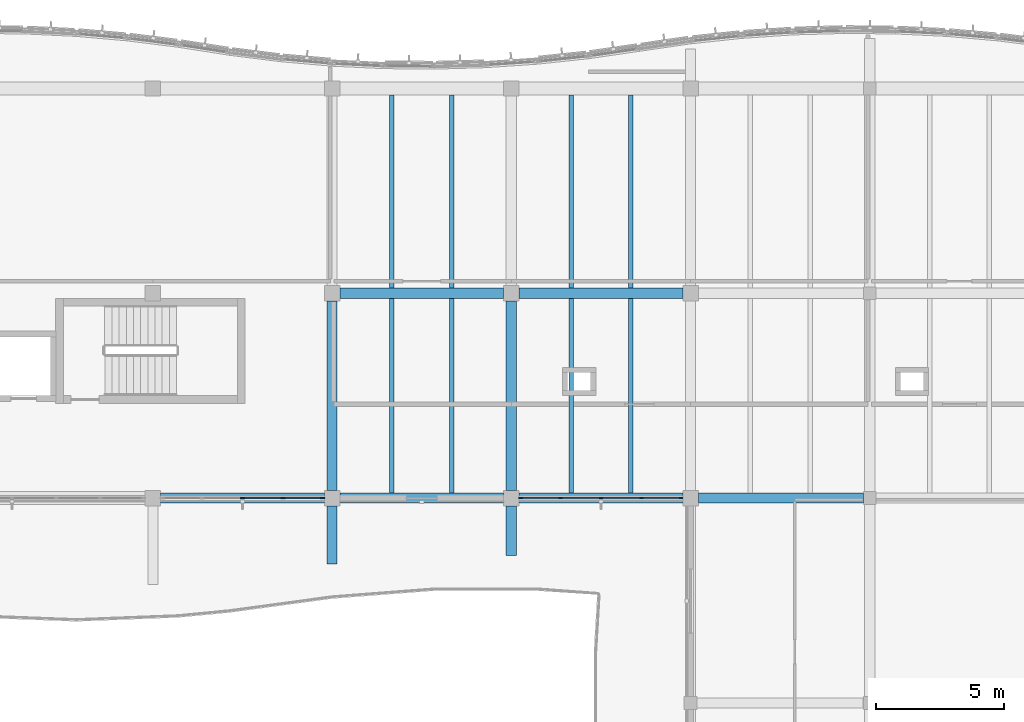
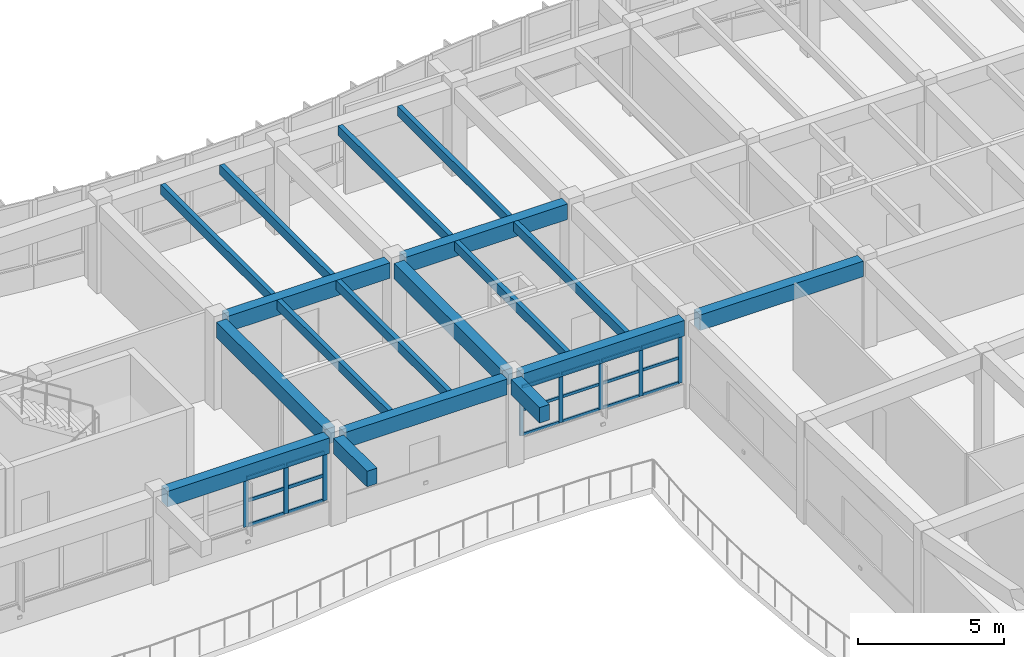
# One storey, part 37 of 89: 26 members, 18 beams, 2 elements without a shape of their own.
"""IFC4 building model written with IfcOpenShell, lengths in metres."""

import ifcopenshell
import ifcopenshell.guid

model = None  # the IFC model being written
_history = None  # IfcOwnerHistory: only IFC2X3 demands one
_inside = {}  # id of a spatial element -> (the spatial element, [elements in it])
_under = {}  # id of a project, library or spatial element -> (it, [spatial elements below it])
_declared = {}  # id of a project -> (the project, [libraries it declares])
_typed = {}  # id of a type object -> (the type object, [elements of that type])
_made_of = {}  # id of a material, layer set ... -> (it, [elements and type objects made of it])


def new_model(schema):
    """Start an empty IFC model of exactly this schema.

    Asked for "IFC4X3", IfcOpenShell would pick the latest addendum, in which some entities
    have other attributes; the version numbers below select the first issue.
    IFC2X3 requires an IfcOwnerHistory on every rooted entity: one is made here for all.
    """
    global model, _history
    if schema == "IFC4X3":
        model = ifcopenshell.file(schema_version=(4, 3, 0, 0))
    else:
        model = ifcopenshell.file(schema=schema)
    _inside.clear()
    _under.clear()
    _declared.clear()
    _typed.clear()
    _made_of.clear()
    _history = None
    if model.schema == "IFC2X3":
        org = make("IfcOrganization", Name="unknown")
        user = make(
            "IfcPersonAndOrganization",
            ThePerson=make("IfcPerson", FamilyName="unknown"),
            TheOrganization=org,
        )
        app = make(
            "IfcApplication",
            ApplicationDeveloper=org,
            Version="unknown",
            ApplicationFullName="unknown",
            ApplicationIdentifier="unknown",
        )
        _history = make(
            "IfcOwnerHistory",
            OwningUser=user,
            OwningApplication=app,
            ChangeAction="ADDED",
            CreationDate=0,
        )
    return model


def make(cls, **values):
    """One entity of the class cls with the attributes given. An attribute that is None is left unset."""
    return model.create_entity(
        cls, **{name: value for name, value in values.items() if value is not None}
    )


def rooted(cls, **values):
    """An entity with a GlobalId (a new one), such as an element, a storey or a relation."""
    return make(cls, GlobalId=ifcopenshell.guid.new(), OwnerHistory=_history, **values)


def si_unit(unit_type, name, prefix=None):
    """IfcSIUnit, for example si_unit("LENGTHUNIT", "METRE", prefix="MILLI")."""
    return make("IfcSIUnit", UnitType=unit_type, Prefix=prefix, Name=name)


def assignment(units):
    """IfcUnitAssignment: the units of a project."""
    return None if units is None else make("IfcUnitAssignment", Units=units)


def point(xyz):
    """IfcCartesianPoint."""
    return None if xyz is None else make("IfcCartesianPoint", Coordinates=xyz)


def direction(xyz):
    """IfcDirection."""
    return None if xyz is None else make("IfcDirection", DirectionRatios=xyz)


def frame(location, z_axis=None, x_axis=None):
    """IfcAxis2Placement3D, a coordinate frame: its origin and axes. An axis left out is left unset."""
    return make(
        "IfcAxis2Placement3D",
        Location=point(location),
        Axis=direction(z_axis),
        RefDirection=direction(x_axis),
    )


def frame_2d(location, x_axis=None):
    """IfcAxis2Placement2D, a coordinate frame in the plane: its origin and x axis."""
    return make(
        "IfcAxis2Placement2D", Location=point(location), RefDirection=direction(x_axis)
    )


def origin():
    """The frame at (0, 0, 0) with its axes left unset."""
    return frame((0.0, 0.0, 0.0))


def origin_2d():
    """The frame at (0, 0) in the plane with its x axis left unset."""
    return frame_2d((0.0, 0.0))


def place(relative_to, where):
    """IfcLocalPlacement: puts the frame where relative to a parent placement (None: the world)."""
    return make(
        "IfcLocalPlacement", PlacementRelTo=relative_to, RelativePlacement=where
    )


def context(
    kind, dimensions, precision=None, world=None, true_north=None, identifier=None
):
    """IfcGeometricRepresentationContext, for example the 3D "Model" context."""
    return make(
        "IfcGeometricRepresentationContext",
        ContextIdentifier=identifier,
        ContextType=kind,
        CoordinateSpaceDimension=dimensions,
        Precision=precision,
        WorldCoordinateSystem=world,
        TrueNorth=true_north,
    )


def subcontext(parent, identifier, kind, view, scale=None):
    """IfcGeometricRepresentationSubContext, for example "Body" below "Model"."""
    return make(
        "IfcGeometricRepresentationSubContext",
        ContextIdentifier=identifier,
        ContextType=kind,
        ParentContext=parent,
        TargetScale=scale,
        TargetView=view,
    )


def project(units=None, contexts=None):
    """IfcProject with its units and contexts."""
    return rooted(
        "IfcProject",
        Name="project",
        RepresentationContexts=contexts,
        UnitsInContext=assignment(units),
    )


def spatial(cls, under=None, at=None, **own):
    """A site, building, storey or space (cls), placed at a placement, below another one or the project."""
    s = rooted(cls, ObjectPlacement=at, **own)
    if under is not None:
        _under.setdefault(under.id(), (under, []))[1].append(s)
    return s


def profile(cls, at=None, kind="AREA", **sizes):
    """A parametric profile (cls). Its sizes go by their IFC names, for example OverallWidth=200.0."""
    return make(cls, ProfileType=kind, Position=at, **sizes)


def rectangle(**sizes):
    """IfcRectangleProfileDef."""
    return profile("IfcRectangleProfileDef", **sizes)


def extrude(swept, where, along, depth):
    """IfcExtrudedAreaSolid: the profile swept, set in the frame where, extruded along a direction by depth."""
    return make(
        "IfcExtrudedAreaSolid",
        SweptArea=swept,
        Position=where,
        ExtrudedDirection=direction(along),
        Depth=depth,
    )


def shape(context_of_items, identifier, shape_type, items):
    """IfcShapeRepresentation: the items that make up one representation, for example the "Body"."""
    return make(
        "IfcShapeRepresentation",
        ContextOfItems=context_of_items,
        RepresentationIdentifier=identifier,
        RepresentationType=shape_type,
        Items=items,
    )


def material(Name=None, Category=None):
    """IfcMaterial."""
    return make("IfcMaterial", Name=Name, Category=Category)


def layer(
    of_material, thickness, ventilated=None, Name=None, Category=None, Priority=None
):
    """IfcMaterialLayer: one layer of a wall or slab, of a material (None: an air gap)."""
    return make(
        "IfcMaterialLayer",
        Material=of_material,
        LayerThickness=thickness,
        IsVentilated=ventilated,
        Name=Name,
        Category=Category,
        Priority=Priority,
    )


def layer_set(layers, Name=None):
    """IfcMaterialLayerSet."""
    return make("IfcMaterialLayerSet", MaterialLayers=layers, LayerSetName=Name)


def material_profile(
    of_material, cross_section, Name=None, Category=None, Priority=None
):
    """IfcMaterialProfile: a cross section and its material."""
    return make(
        "IfcMaterialProfile",
        Name=Name,
        Material=of_material,
        Profile=cross_section,
        Priority=Priority,
        Category=Category,
    )


def profile_set(profiles, Name=None, composite=None):
    """IfcMaterialProfileSet."""
    return make(
        "IfcMaterialProfileSet",
        Name=Name,
        MaterialProfiles=profiles,
        CompositeProfile=composite,
    )


def made_of(thing, what):
    """Note that an element or type object is made of a material, layer set ...; save() writes the relation."""
    if what is not None:
        _made_of.setdefault(what.id(), (what, []))[1].append(thing)
    return thing


def type_object(cls, material=None, **own):
    """A type object (cls), such as IfcWallType, which elements share."""
    return made_of(rooted(cls, **own), material)


def element(
    cls,
    number,
    at=None,
    inside=None,
    cuts=None,
    type_object=None,
    material=None,
    context=None,
    identifier="Body",
    shape_type=None,
    held_by="IfcProductDefinitionShape",
    body=None,
    shapes=None,
    **own,
):
    """One element of the class cls, such as IfcWall. Its Tag is "e" and its number.

    at: its placement. inside: the storey or other place that contains it. cuts: it is an
    opening in that element (IfcRelVoidsElement). A single representation is given by context,
    identifier, shape_type and body (its items); several are given by shapes. held_by: the class
    of the entity that holds the representations. save() writes the other relations.
    """
    e = rooted(cls, Tag="e%d" % number, ObjectPlacement=at, **own)
    if body is not None:
        shapes = [shape(context, identifier, shape_type, body)]
    if shapes is not None:
        e.Representation = make(held_by, Representations=shapes)
    if inside is not None:
        _inside.setdefault(inside.id(), (inside, []))[1].append(e)
    if cuts is not None:
        rooted(
            "IfcRelVoidsElement", RelatingBuildingElement=cuts, RelatedOpeningElement=e
        )
    if type_object is not None:
        _typed.setdefault(type_object.id(), (type_object, []))[1].append(e)
    return made_of(e, material)


def aggregate(whole, parts):
    """IfcRelAggregates: a whole, such as a stair, and the parts it consists of."""
    return rooted("IfcRelAggregates", RelatingObject=whole, RelatedObjects=parts)


def save(model, path):
    """Write the relations noted so far, then the file.

    IfcRelAggregates (storeys below a building ...), IfcRelContainedInSpatialStructure (elements
    in a storey), IfcRelDefinesByType, IfcRelAssociatesMaterial and IfcRelDeclares: one each for
    every whole, place, type object, material and project.
    """
    for whole, parts in _under.values():
        aggregate(whole, parts)
    for where, things in _inside.values():
        rooted(
            "IfcRelContainedInSpatialStructure",
            RelatedElements=things,
            RelatingStructure=where,
        )
    for kind, things in _typed.values():
        rooted("IfcRelDefinesByType", RelatedObjects=things, RelatingType=kind)
    for what, things in _made_of.values():
        rooted("IfcRelAssociatesMaterial", RelatedObjects=things, RelatingMaterial=what)
    for by, libraries in _declared.values():
        rooted("IfcRelDeclares", RelatingContext=by, RelatedDefinitions=libraries)
    model.write(path)


model = new_model("IFC4")

# Units and contexts
model_context = context("Model", 3, precision=1e-05, world=origin(), true_north=direction((0.0, 1.0)))
body_context = subcontext(model_context, "Body", "Model", "MODEL_VIEW")
ifc_project = project(units=[si_unit("LENGTHUNIT", "METRE"), si_unit("AREAUNIT", "SQUARE_METRE"), si_unit("VOLUMEUNIT", "CUBIC_METRE"), si_unit("PLANEANGLEUNIT", "RADIAN"), si_unit("MASSUNIT", "GRAM", prefix="KILO")], contexts=[model_context])

# Site, building, storey
site_placement = place(None, origin())
site = spatial("IfcSite", under=ifc_project, at=site_placement, CompositionType="ELEMENT")
building_placement = place(site_placement, origin())
building = spatial("IfcBuilding", under=site, at=building_placement, Name="Tonlespit Floodbar School", CompositionType="ELEMENT")
storey_placement = place(building_placement, frame((0.0, 0.0, 4.5)))
storey = spatial("IfcBuildingStorey", under=building, at=storey_placement, Name="L01", CompositionType="ELEMENT", Elevation=4.5)

# Beams
ifc_material_1 = material(Name="Concrete C40/50", Category="concrete")
ifc_material_profile_1 = material_profile(ifc_material_1, rectangle(XDim=0.39990234375, YDim=0.64990234375, at=origin_2d()), Name="RC 400x650")
ifc_profile_set_1 = profile_set([ifc_material_profile_1], Name="Concrete C40/50")
beam_type_1 = type_object("IfcBeamType", Name="Beam_RC_400x650", PredefinedType="BEAM", material=ifc_profile_set_1)
for number, where, z_axis, x_axis, name in (
    (1, (127.300048828125, 104.0, 3.320068359375), (1.0, 0.0, 0.0), (0.0, 1.0, 0.0), "L01 girder 0638"),
    (2, (134.300048828125, 104.0, 3.320068359375), (1.0, 0.0, 0.0), (0.0, 1.0, 0.0), "L01 girder 0639"),
    (3, (141.300048828125, 104.0, 3.320068359375), (1.0, 0.0, 0.0), (0.0, 1.0, 0.0), "L01 girder 0640"),
):
    element("IfcBeam", number, at=place(storey_placement, frame(where, z_axis=z_axis, x_axis=x_axis)), inside=storey, type_object=beam_type_1, Name=name, PredefinedType="BEAM", context=body_context, shape_type="SweptSolid", body=[
        extrude(rectangle(XDim=0.39990234375, YDim=0.64990234375, at=origin_2d()), origin(), (0.0, 0.0, 1.0), 6.39990234375),
    ])
beam_1_placement = place(storey_placement, frame((148.300048828125, 104.0, 3.320068359375), z_axis=(1.0, 0.0, 0.0), x_axis=(0.0, 1.0, 0.0)))
element("IfcBeam", 4, at=beam_1_placement, inside=storey, type_object=beam_type_1, Name="L01 girder 0641", PredefinedType="BEAM", context=body_context, shape_type="SweptSolid", body=[
    extrude(rectangle(XDim=0.39990234375, YDim=0.64990234375, at=origin_2d()), origin(), (0.0, 0.0, 1.0), 6.449951171875),
])
for number, where, z_axis, x_axis, name in (
    (5, (134.300048828125, 112.0, 3.320068359375), (1.0, 0.0, 0.0), (0.0, 1.0, 0.0), "L01 girder 0649"),
    (6, (141.300048828125, 112.0, 3.320068359375), (1.0, 0.0, 0.0), (0.0, 1.0, 0.0), "L01 girder 0650"),
):
    element("IfcBeam", number, at=place(storey_placement, frame(where, z_axis=z_axis, x_axis=x_axis)), inside=storey, type_object=beam_type_1, Name=name, PredefinedType="BEAM", context=body_context, shape_type="SweptSolid", body=[
        extrude(rectangle(XDim=0.39990234375, YDim=0.64990234375, at=origin_2d()), origin(), (0.0, 0.0, 1.0), 6.39990234375),
    ])
for number, where, z_axis, x_axis, name in (
    (7, (134.0, 104.300048828125, 3.320068359375), (0.0, 1.0, 0.0), (-1.0, 0.0, 0.0), "L01 girder 0748"),
    (8, (141.0, 104.300048828125, 3.320068359375), (0.0, 1.0, 0.0), (-1.0, 0.0, 0.0), "L01 girder 0752"),
):
    element("IfcBeam", number, at=place(storey_placement, frame(where, z_axis=z_axis, x_axis=x_axis)), inside=storey, type_object=beam_type_1, Name=name, PredefinedType="BEAM", context=body_context, shape_type="SweptSolid", body=[
        extrude(rectangle(XDim=0.39990234375, YDim=0.64990234375, at=origin_2d()), origin(), (0.0, 0.0, 1.0), 7.39990234375),
    ])
beam_2_placement = place(storey_placement, frame((134.0, 103.699951171875, 3.3310546875), z_axis=(0.0, -1.0, 0.0), x_axis=(1.0, 0.0, 0.0)))
element("IfcBeam", 9, at=beam_2_placement, inside=storey, type_object=beam_type_1, Name="L01 V4 south court gallery rib", PredefinedType="BEAM", context=body_context, shape_type="SweptSolid", body=[
    extrude(rectangle(XDim=0.39990234375, YDim=0.64990234375, at=origin_2d()), origin(), (0.0, 0.0, 1.0), 2.278076171875),
])
beam_3_placement = place(storey_placement, frame((141.0, 103.699951171875, 3.3310546875), z_axis=(0.0, -1.0, 0.0), x_axis=(1.0, 0.0, 0.0)))
element("IfcBeam", 10, at=beam_3_placement, inside=storey, type_object=beam_type_1, Name="L01 V4 south court gallery rib", PredefinedType="BEAM", context=body_context, shape_type="SweptSolid", body=[
    extrude(rectangle(XDim=0.39990234375, YDim=0.64990234375, at=origin_2d()), origin(), (0.0, 0.0, 1.0), 1.9404296875),
])

# Curtain wall, members
ifc_material_2 = material(Name="Anodised Aluminium", Category="aluminium")
ifc_layer = layer(ifc_material_2, 0.159912109375)
ifc_layer_set = layer_set([ifc_layer], Name="Anodised Aluminium")
curtain_wall_type = type_object("IfcCurtainWallType", Name="CurtainWall_6300x2050", PredefinedType="NOTDEFINED", material=ifc_layer_set)
curtain_wall_1_placement = place(storey_placement, origin())
curtain_wall_1 = element("IfcCurtainWall", 11, at=curtain_wall_1_placement, inside=storey, type_object=curtain_wall_type, Name="L01 unitised curtain wall 0408", PredefinedType="NOTDEFINED")
ifc_material_profile_2 = material_profile(ifc_material_2, rectangle(XDim=0.06494140625, YDim=0.14990234375, at=origin_2d()), Name="ALU M65x150")
ifc_profile_set_2 = profile_set([ifc_material_profile_2], Name="Anodised Aluminium")
member_type_1 = type_object("IfcMemberType", Name="CW_Mullion_65x150", PredefinedType="MULLION", material=ifc_profile_set_2)
member_1_placement = place(storey_placement, frame((147.62744140625, 104.0, 0.949951171875), z_axis=(0.0, 0.0, 1.0), x_axis=(0.0, -1.0, 0.0)))
member_1 = element("IfcMember", 12, at=member_1_placement, type_object=member_type_1, Name="CW-61 mullion 1", PredefinedType="MULLION", context=body_context, shape_type="SweptSolid", body=[
    extrude(rectangle(XDim=0.06494140625, YDim=0.14990234375, at=origin_2d()), origin(), (0.0, 0.0, 1.0), 2.045166015625),
])
member_2_placement = place(storey_placement, frame((146.080078125, 104.0, 0.949951171875), z_axis=(0.0, 0.0, 1.0), x_axis=(0.0, -1.0, 0.0)))
member_2 = element("IfcMember", 13, at=member_2_placement, type_object=member_type_1, Name="CW-61 mullion 2", PredefinedType="MULLION", context=body_context, shape_type="SweptSolid", body=[
    extrude(rectangle(XDim=0.06494140625, YDim=0.14990234375, at=origin_2d()), origin(), (0.0, 0.0, 1.0), 2.045166015625),
])
member_3_placement = place(storey_placement, frame((144.5, 104.0, 0.949951171875), z_axis=(0.0, 0.0, 1.0), x_axis=(0.0, -1.0, 0.0)))
member_3 = element("IfcMember", 14, at=member_3_placement, type_object=member_type_1, Name="CW-61 mullion 3", PredefinedType="MULLION", context=body_context, shape_type="SweptSolid", body=[
    extrude(rectangle(XDim=0.06494140625, YDim=0.14990234375, at=origin_2d()), origin(), (0.0, 0.0, 1.0), 2.045166015625),
])
member_4_placement = place(storey_placement, frame((142.919921875, 104.0, 0.949951171875), z_axis=(0.0, 0.0, 1.0), x_axis=(0.0, -1.0, 0.0)))
member_4 = element("IfcMember", 15, at=member_4_placement, type_object=member_type_1, Name="CW-61 mullion 4", PredefinedType="MULLION", context=body_context, shape_type="SweptSolid", body=[
    extrude(rectangle(XDim=0.06494140625, YDim=0.14990234375, at=origin_2d()), origin(), (0.0, 0.0, 1.0), 2.045166015625),
])
member_5_placement = place(storey_placement, frame((141.37255859375, 104.0, 0.949951171875), z_axis=(0.0, 0.0, 1.0), x_axis=(0.0, -1.0, 0.0)))
member_5 = element("IfcMember", 16, at=member_5_placement, type_object=member_type_1, Name="CW-61 mullion 5", PredefinedType="MULLION", context=body_context, shape_type="SweptSolid", body=[
    extrude(rectangle(XDim=0.06494140625, YDim=0.14990234375, at=origin_2d()), origin(), (0.0, 0.0, 1.0), 2.045166015625),
])

curtain_wall_2_placement = place(storey_placement, origin())
curtain_wall_2 = element("IfcCurtainWall", 17, at=curtain_wall_2_placement, inside=storey, type_object=curtain_wall_type, Name="L01 unitised curtain wall 0409", PredefinedType="NOTDEFINED")
ifc_material_profile_3 = material_profile(ifc_material_2, rectangle(XDim=0.06494140625, YDim=0.179931640625, at=origin_2d()), Name="ALU M65x180")
ifc_profile_set_3 = profile_set([ifc_material_profile_3], Name="Anodised Aluminium")
member_type_2 = type_object("IfcMemberType", Name="CW_Mullion_65x180", PredefinedType="MULLION", material=ifc_profile_set_3)
member_6_placement = place(storey_placement, frame((133.62744140625, 104.0, 0.949951171875), z_axis=(0.0, 0.0, 1.0), x_axis=(0.0, -1.0, 0.0)))
member_6 = element("IfcMember", 18, at=member_6_placement, type_object=member_type_2, Name="CW-61 mullion 1", PredefinedType="MULLION", context=body_context, shape_type="SweptSolid", body=[
    extrude(rectangle(XDim=0.06494140625, YDim=0.179931640625, at=origin_2d()), origin(), (0.0, 0.0, 1.0), 2.045166015625),
])
member_7_placement = place(storey_placement, frame((132.080078125, 104.0, 0.949951171875), z_axis=(0.0, 0.0, 1.0), x_axis=(0.0, -1.0, 0.0)))
member_7 = element("IfcMember", 19, at=member_7_placement, type_object=member_type_2, Name="CW-61 mullion 2", PredefinedType="MULLION", context=body_context, shape_type="SweptSolid", body=[
    extrude(rectangle(XDim=0.06494140625, YDim=0.179931640625, at=origin_2d()), origin(), (0.0, 0.0, 1.0), 2.045166015625),
])
member_8_placement = place(storey_placement, frame((130.5, 104.0, 0.949951171875), z_axis=(0.0, 0.0, 1.0), x_axis=(0.0, -1.0, 0.0)))
member_8 = element("IfcMember", 20, at=member_8_placement, type_object=member_type_2, Name="CW-61 mullion 3", PredefinedType="MULLION", context=body_context, shape_type="SweptSolid", body=[
    extrude(rectangle(XDim=0.06494140625, YDim=0.179931640625, at=origin_2d()), origin(), (0.0, 0.0, 1.0), 2.045166015625),
])

# Member
ifc_material_profile_4 = material_profile(ifc_material_2, rectangle(XDim=0.06494140625, YDim=0.1201171875, at=origin_2d()), Name="ALU T65x120")
ifc_profile_set_4 = profile_set([ifc_material_profile_4], Name="Anodised Aluminium")
member_type_3 = type_object("IfcMemberType", Name="CW_Transom_65x120", PredefinedType="USERDEFINED", material=ifc_profile_set_4)
member_9_placement = place(storey_placement, frame((147.594970703125, 104.0, 0.982421875), z_axis=(-1.0, 0.0, 0.0), x_axis=(0.0, -1.0, 0.0)))
member_9 = element("IfcMember", 21, at=member_9_placement, type_object=member_type_3, Name="CW-61 transom 1.1", ObjectType="TRANSOM", PredefinedType="USERDEFINED", context=body_context, shape_type="SweptSolid", body=[
    extrude(rectangle(XDim=0.06494140625, YDim=0.1201171875, at=origin_2d()), origin(), (0.0, 0.0, 1.0), 1.482421875),
])

member_10_placement = place(storey_placement, frame((147.594970703125, 104.0, 2.013427734375), z_axis=(-1.0, 0.0, 0.0), x_axis=(0.0, -1.0, 0.0)))
member_10 = element("IfcMember", 22, at=member_10_placement, type_object=member_type_3, Name="CW-61 transom 1.2", ObjectType="TRANSOM", PredefinedType="USERDEFINED", context=body_context, shape_type="SweptSolid", body=[
    extrude(rectangle(XDim=0.06494140625, YDim=0.1201171875, at=origin_2d()), origin(), (0.0, 0.0, 1.0), 1.482421875),
])

member_11_placement = place(storey_placement, frame((147.594970703125, 104.0, 2.96240234375), z_axis=(-1.0, 0.0, 0.0), x_axis=(0.0, -1.0, 0.0)))
member_11 = element("IfcMember", 23, at=member_11_placement, type_object=member_type_3, Name="CW-61 transom 1.3", ObjectType="TRANSOM", PredefinedType="USERDEFINED", context=body_context, shape_type="SweptSolid", body=[
    extrude(rectangle(XDim=0.06494140625, YDim=0.1201171875, at=origin_2d()), origin(), (0.0, 0.0, 1.0), 1.482421875),
])

member_12_placement = place(storey_placement, frame((146.047607421875, 104.0, 0.982421875), z_axis=(-1.0, 0.0, 0.0), x_axis=(0.0, -1.0, 0.0)))
member_12 = element("IfcMember", 24, at=member_12_placement, type_object=member_type_3, Name="CW-61 transom 2.1", ObjectType="TRANSOM", PredefinedType="USERDEFINED", context=body_context, shape_type="SweptSolid", body=[
    extrude(rectangle(XDim=0.06494140625, YDim=0.1201171875, at=origin_2d()), origin(), (0.0, 0.0, 1.0), 1.51513671875),
])

member_13_placement = place(storey_placement, frame((146.047607421875, 104.0, 2.013427734375), z_axis=(-1.0, 0.0, 0.0), x_axis=(0.0, -1.0, 0.0)))
member_13 = element("IfcMember", 25, at=member_13_placement, type_object=member_type_3, Name="CW-61 transom 2.2", ObjectType="TRANSOM", PredefinedType="USERDEFINED", context=body_context, shape_type="SweptSolid", body=[
    extrude(rectangle(XDim=0.06494140625, YDim=0.1201171875, at=origin_2d()), origin(), (0.0, 0.0, 1.0), 1.51513671875),
])

member_14_placement = place(storey_placement, frame((146.047607421875, 104.0, 2.96240234375), z_axis=(-1.0, 0.0, 0.0), x_axis=(0.0, -1.0, 0.0)))
member_14 = element("IfcMember", 26, at=member_14_placement, type_object=member_type_3, Name="CW-61 transom 2.3", ObjectType="TRANSOM", PredefinedType="USERDEFINED", context=body_context, shape_type="SweptSolid", body=[
    extrude(rectangle(XDim=0.06494140625, YDim=0.1201171875, at=origin_2d()), origin(), (0.0, 0.0, 1.0), 1.51513671875),
])

member_15_placement = place(storey_placement, frame((144.467529296875, 104.0, 0.982421875), z_axis=(-1.0, 0.0, 0.0), x_axis=(0.0, -1.0, 0.0)))
member_15 = element("IfcMember", 27, at=member_15_placement, type_object=member_type_3, Name="CW-61 transom 3.1", ObjectType="TRANSOM", PredefinedType="USERDEFINED", context=body_context, shape_type="SweptSolid", body=[
    extrude(rectangle(XDim=0.06494140625, YDim=0.1201171875, at=origin_2d()), origin(), (0.0, 0.0, 1.0), 1.51513671875),
])

member_16_placement = place(storey_placement, frame((144.467529296875, 104.0, 2.013427734375), z_axis=(-1.0, 0.0, 0.0), x_axis=(0.0, -1.0, 0.0)))
member_16 = element("IfcMember", 28, at=member_16_placement, type_object=member_type_3, Name="CW-61 transom 3.2", ObjectType="TRANSOM", PredefinedType="USERDEFINED", context=body_context, shape_type="SweptSolid", body=[
    extrude(rectangle(XDim=0.06494140625, YDim=0.1201171875, at=origin_2d()), origin(), (0.0, 0.0, 1.0), 1.51513671875),
])

member_17_placement = place(storey_placement, frame((144.467529296875, 104.0, 2.96240234375), z_axis=(-1.0, 0.0, 0.0), x_axis=(0.0, -1.0, 0.0)))
member_17 = element("IfcMember", 29, at=member_17_placement, type_object=member_type_3, Name="CW-61 transom 3.3", ObjectType="TRANSOM", PredefinedType="USERDEFINED", context=body_context, shape_type="SweptSolid", body=[
    extrude(rectangle(XDim=0.06494140625, YDim=0.1201171875, at=origin_2d()), origin(), (0.0, 0.0, 1.0), 1.51513671875),
])

member_18_placement = place(storey_placement, frame((142.887451171875, 104.0, 0.982421875), z_axis=(-1.0, 0.0, 0.0), x_axis=(0.0, -1.0, 0.0)))
member_18 = element("IfcMember", 30, at=member_18_placement, type_object=member_type_3, Name="CW-61 transom 4.1", ObjectType="TRANSOM", PredefinedType="USERDEFINED", context=body_context, shape_type="SweptSolid", body=[
    extrude(rectangle(XDim=0.06494140625, YDim=0.1201171875, at=origin_2d()), origin(), (0.0, 0.0, 1.0), 1.482421875),
])

member_19_placement = place(storey_placement, frame((142.887451171875, 104.0, 2.013427734375), z_axis=(-1.0, 0.0, 0.0), x_axis=(0.0, -1.0, 0.0)))
member_19 = element("IfcMember", 31, at=member_19_placement, type_object=member_type_3, Name="CW-61 transom 4.2", ObjectType="TRANSOM", PredefinedType="USERDEFINED", context=body_context, shape_type="SweptSolid", body=[
    extrude(rectangle(XDim=0.06494140625, YDim=0.1201171875, at=origin_2d()), origin(), (0.0, 0.0, 1.0), 1.482421875),
])

member_20_placement = place(storey_placement, frame((142.887451171875, 104.0, 2.96240234375), z_axis=(-1.0, 0.0, 0.0), x_axis=(0.0, -1.0, 0.0)))
member_20 = element("IfcMember", 32, at=member_20_placement, type_object=member_type_3, Name="CW-61 transom 4.3", ObjectType="TRANSOM", PredefinedType="USERDEFINED", context=body_context, shape_type="SweptSolid", body=[
    extrude(rectangle(XDim=0.06494140625, YDim=0.1201171875, at=origin_2d()), origin(), (0.0, 0.0, 1.0), 1.482421875),
])

aggregate(curtain_wall_1, [member_1, member_2, member_3, member_4, member_5, member_9, member_10, member_11, member_12, member_13, member_14, member_15, member_16, member_17, member_18, member_19, member_20])

ifc_material_profile_5 = material_profile(ifc_material_2, rectangle(XDim=0.06494140625, YDim=0.139892578125, at=origin_2d()), Name="ALU T65x140")
ifc_profile_set_5 = profile_set([ifc_material_profile_5], Name="Anodised Aluminium")
member_type_4 = type_object("IfcMemberType", Name="CW_Transom_65x140", PredefinedType="USERDEFINED", material=ifc_profile_set_5)
member_21_placement = place(storey_placement, frame((133.594970703125, 104.0, 0.982421875), z_axis=(-1.0, 0.0, 0.0), x_axis=(0.0, -1.0, 0.0)))
member_21 = element("IfcMember", 33, at=member_21_placement, type_object=member_type_4, Name="CW-61 transom 1.1", ObjectType="TRANSOM", PredefinedType="USERDEFINED", context=body_context, shape_type="SweptSolid", body=[
    extrude(rectangle(XDim=0.06494140625, YDim=0.139892578125, at=origin_2d()), origin(), (0.0, 0.0, 1.0), 1.482421875),
])

member_22_placement = place(storey_placement, frame((133.594970703125, 104.0, 2.013427734375), z_axis=(-1.0, 0.0, 0.0), x_axis=(0.0, -1.0, 0.0)))
member_22 = element("IfcMember", 34, at=member_22_placement, type_object=member_type_4, Name="CW-61 transom 1.2", ObjectType="TRANSOM", PredefinedType="USERDEFINED", context=body_context, shape_type="SweptSolid", body=[
    extrude(rectangle(XDim=0.06494140625, YDim=0.139892578125, at=origin_2d()), origin(), (0.0, 0.0, 1.0), 1.482421875),
])

member_23_placement = place(storey_placement, frame((133.594970703125, 104.0, 2.96240234375), z_axis=(-1.0, 0.0, 0.0), x_axis=(0.0, -1.0, 0.0)))
member_23 = element("IfcMember", 35, at=member_23_placement, type_object=member_type_4, Name="CW-61 transom 1.3", ObjectType="TRANSOM", PredefinedType="USERDEFINED", context=body_context, shape_type="SweptSolid", body=[
    extrude(rectangle(XDim=0.06494140625, YDim=0.139892578125, at=origin_2d()), origin(), (0.0, 0.0, 1.0), 1.482421875),
])

member_24_placement = place(storey_placement, frame((132.047607421875, 104.0, 0.982421875), z_axis=(-1.0, 0.0, 0.0), x_axis=(0.0, -1.0, 0.0)))
member_24 = element("IfcMember", 36, at=member_24_placement, type_object=member_type_4, Name="CW-61 transom 2.1", ObjectType="TRANSOM", PredefinedType="USERDEFINED", context=body_context, shape_type="SweptSolid", body=[
    extrude(rectangle(XDim=0.06494140625, YDim=0.139892578125, at=origin_2d()), origin(), (0.0, 0.0, 1.0), 1.51513671875),
])

member_25_placement = place(storey_placement, frame((132.047607421875, 104.0, 2.013427734375), z_axis=(-1.0, 0.0, 0.0), x_axis=(0.0, -1.0, 0.0)))
member_25 = element("IfcMember", 37, at=member_25_placement, type_object=member_type_4, Name="CW-61 transom 2.2", ObjectType="TRANSOM", PredefinedType="USERDEFINED", context=body_context, shape_type="SweptSolid", body=[
    extrude(rectangle(XDim=0.06494140625, YDim=0.139892578125, at=origin_2d()), origin(), (0.0, 0.0, 1.0), 1.51513671875),
])

member_26_placement = place(storey_placement, frame((132.047607421875, 104.0, 2.96240234375), z_axis=(-1.0, 0.0, 0.0), x_axis=(0.0, -1.0, 0.0)))
member_26 = element("IfcMember", 38, at=member_26_placement, type_object=member_type_4, Name="CW-61 transom 2.3", ObjectType="TRANSOM", PredefinedType="USERDEFINED", context=body_context, shape_type="SweptSolid", body=[
    extrude(rectangle(XDim=0.06494140625, YDim=0.139892578125, at=origin_2d()), origin(), (0.0, 0.0, 1.0), 1.51513671875),
])

aggregate(curtain_wall_2, [member_6, member_7, member_8, member_21, member_22, member_23, member_24, member_25, member_26])

# Beams
ifc_material_3 = material(Name="Glulam GL28h", Category="wood")
ifc_material_profile_6 = material_profile(ifc_material_3, rectangle(XDim=0.179931640625, YDim=0.39990234375, at=origin_2d()), Name="GL 180x400")
ifc_profile_set_6 = profile_set([ifc_material_profile_6], Name="Glulam GL28h")
beam_type_2 = type_object("IfcBeamType", Name="Joist_GL_180x400", PredefinedType="JOIST", material=ifc_profile_set_6)
for number, where, z_axis, x_axis, name in (
    (39, (136.333251953125, 104.199951171875, 3.445068359375), (0.0, 1.0, 0.0), (-1.0, 0.0, 0.0), "L01 secondary joist 0886"),
    (40, (138.666748046875, 104.199951171875, 3.445068359375), (0.0, 1.0, 0.0), (-1.0, 0.0, 0.0), "L01 secondary joist 0887"),
    (41, (143.333251953125, 104.199951171875, 3.445068359375), (0.0, 1.0, 0.0), (-1.0, 0.0, 0.0), "L01 secondary joist 0888"),
    (42, (145.666748046875, 104.199951171875, 3.445068359375), (0.0, 1.0, 0.0), (-1.0, 0.0, 0.0), "L01 secondary joist 0889"),
):
    element("IfcBeam", number, at=place(storey_placement, frame(where, z_axis=z_axis, x_axis=x_axis)), inside=storey, type_object=beam_type_2, Name=name, PredefinedType="JOIST", context=body_context, shape_type="SweptSolid", body=[
        extrude(rectangle(XDim=0.179931640625, YDim=0.39990234375, at=origin_2d()), origin(), (0.0, 0.0, 1.0), 7.60009765625),
    ])
for number, where, z_axis, x_axis, name in (
    (43, (136.333251953125, 112.199951171875, 3.445068359375), (0.0, 1.0, 0.0), (-1.0, 0.0, 0.0), "L01 secondary joist 0906"),
    (44, (138.666748046875, 112.199951171875, 3.445068359375), (0.0, 1.0, 0.0), (-1.0, 0.0, 0.0), "L01 secondary joist 0907"),
    (45, (143.333251953125, 112.199951171875, 3.445068359375), (0.0, 1.0, 0.0), (-1.0, 0.0, 0.0), "L01 secondary joist 0908"),
    (46, (145.666748046875, 112.199951171875, 3.445068359375), (0.0, 1.0, 0.0), (-1.0, 0.0, 0.0), "L01 secondary joist 0909"),
):
    element("IfcBeam", number, at=place(storey_placement, frame(where, z_axis=z_axis, x_axis=x_axis)), inside=storey, type_object=beam_type_2, Name=name, PredefinedType="JOIST", context=body_context, shape_type="SweptSolid", body=[
        extrude(rectangle(XDim=0.179931640625, YDim=0.39990234375, at=origin_2d()), origin(), (0.0, 0.0, 1.0), 7.550048828125),
    ])

save(model, "model.ifc")
